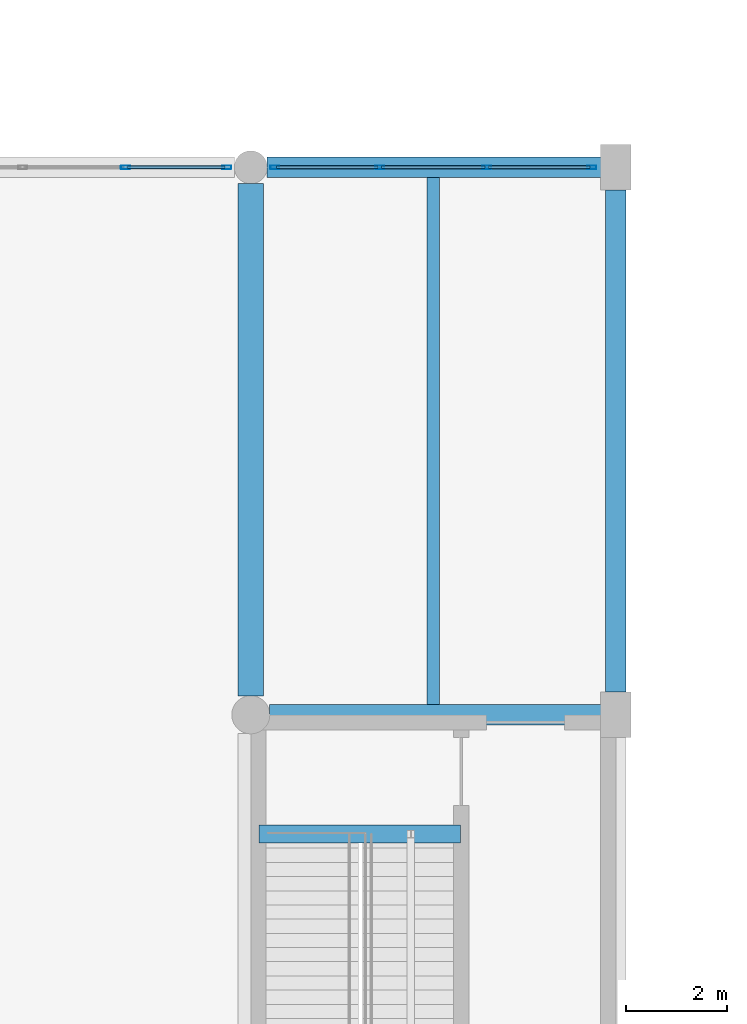
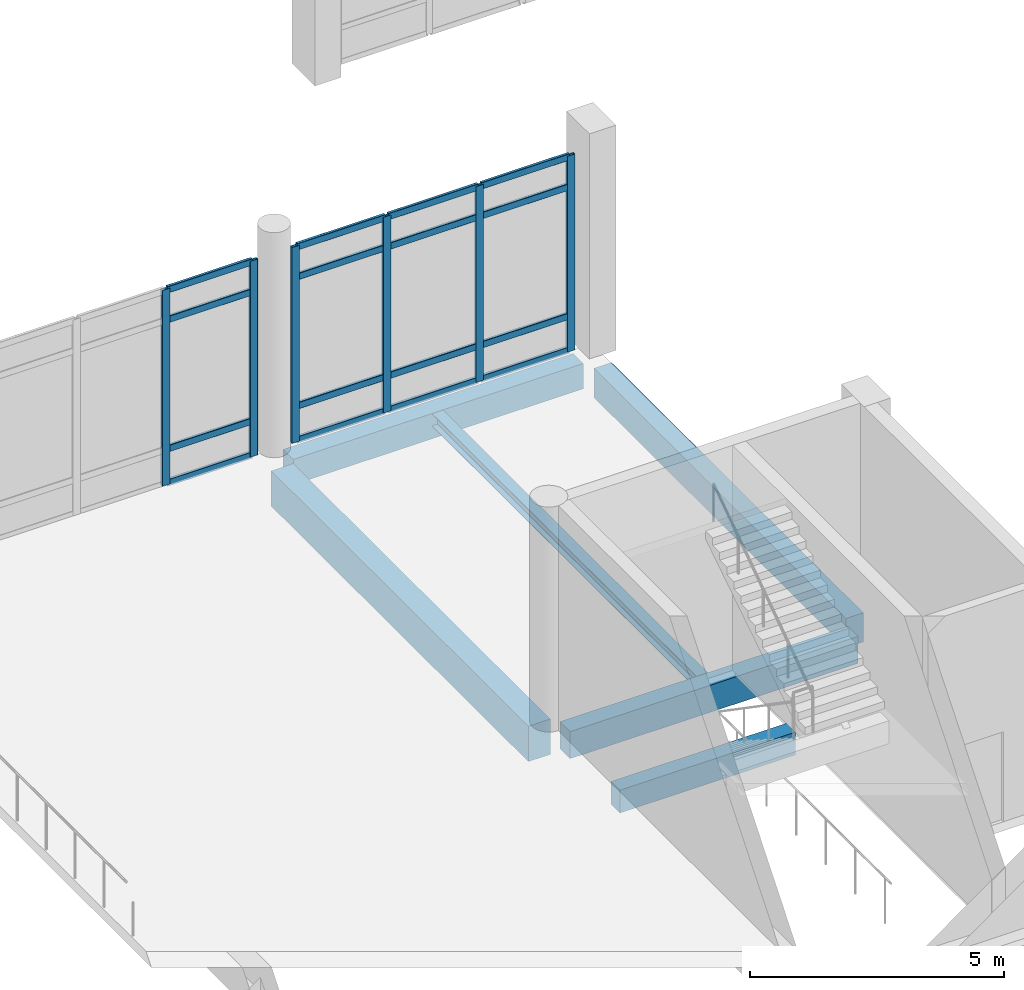
# One storey, part 46 of 180: 22 members, 6 beams, 2 elements without a shape of their own.
"""IFC4 building model written with IfcOpenShell, lengths in metres."""

from ifc_helpers import new_model, si_unit, direction, frame, origin, origin_2d, place, context, subcontext, project, spatial, rectangle, hollow_rectangle, i_section, extrude, material, material_profile, profile_set, type_object, element, aggregate, save


model = new_model("IFC4")

# Units and contexts
model_context = context("Model", 3, precision=1e-05, world=origin(), true_north=direction((0.0, 1.0)))
body_context = subcontext(model_context, "Body", "Model", "MODEL_VIEW")
ifc_project = project(units=[si_unit("LENGTHUNIT", "METRE"), si_unit("AREAUNIT", "SQUARE_METRE"), si_unit("VOLUMEUNIT", "CUBIC_METRE"), si_unit("PLANEANGLEUNIT", "RADIAN"), si_unit("MASSUNIT", "GRAM", prefix="KILO")], contexts=[model_context])

# Site, building, storey
site_placement = place(None, origin())
site = spatial("IfcSite", under=ifc_project, at=site_placement, CompositionType="ELEMENT")
building_placement = place(site_placement, origin())
building = spatial("IfcBuilding", under=site, at=building_placement, Name="Lusvemor Sports Hall", CompositionType="ELEMENT")
storey_placement = place(building_placement, frame((0.0, 0.0, 5.39990234375)))
storey = spatial("IfcBuildingStorey", under=building, at=storey_placement, Name="L01", CompositionType="ELEMENT", Elevation=5.39990234375)

# Beams
ifc_material_1 = material(Name="Concrete C40/50", Category="concrete")
ifc_material_profile_1 = material_profile(ifc_material_1, rectangle(XDim=0.35009765625, YDim=0.550048828125, at=origin_2d()), Name="RC350x550")
ifc_profile_set_1 = profile_set([ifc_material_profile_1], Name="Concrete C40/50")
beam_type_1 = type_object("IfcBeamType", Name="BEAM_RC_550", PredefinedType="BEAM", material=ifc_profile_set_1)
beam_1_placement = place(storey_placement, frame((111.760009765625, 15.64990234375, -0.454833984375), z_axis=(1.0, 0.0, 0.0), x_axis=(0.0, 1.0, 0.0)))
element("IfcBeam", 1, at=beam_1_placement, inside=storey, type_object=beam_type_1, Name="Stair STR-C7-L00 Top-Landing Beam", PredefinedType="BEAM", context=body_context, shape_type="SweptSolid", body=[
    extrude(rectangle(XDim=0.35009765625, YDim=0.550048828125, at=origin_2d()), origin(), (0.0, 0.0, 1.0), 3.97998046875),
])
ifc_material_2 = material(Name="Concrete C40/50", Category="concrete")
ifc_material_profile_2 = material_profile(ifc_material_2, rectangle(XDim=0.39990234375, YDim=0.64990234375, at=origin_2d()), Name="RC400x650")
ifc_profile_set_2 = profile_set([ifc_material_profile_2], Name="Concrete C40/50")
beam_type_2 = type_object("IfcBeamType", Name="BEAM_RC_650", PredefinedType="BEAM", material=ifc_profile_set_2)
beam_2_placement = place(storey_placement, frame((111.970947265625, 18.0, -0.5849609375), z_axis=(1.0, 0.0, 0.0), x_axis=(0.0, 1.0, 0.0)))
element("IfcBeam", 2, at=beam_2_placement, inside=storey, type_object=beam_type_2, Name="Beam L01 C:12-13", PredefinedType="BEAM", context=body_context, shape_type="SweptSolid", body=[
    extrude(rectangle(XDim=0.39990234375, YDim=0.64990234375, at=origin_2d()), origin(), (0.0, 0.0, 1.0), 6.532958984375),
])

# Curtain wall, members
ifc_material_3 = material(Name="Thermally broken bronze-anodized aluminium", Category="aluminium")
curtain_wall_type = type_object("IfcCurtainWallType", Name="CW_FOYER_A", PredefinedType="NOTDEFINED", material=ifc_material_3)
curtain_wall_1_placement = place(storey_placement, origin())
curtain_wall_1 = element("IfcCurtainWall", 3, at=curtain_wall_1_placement, inside=storey, type_object=curtain_wall_type, Name="Curtain Wall CW-V4N-L01-3", PredefinedType="NOTDEFINED")
ifc_material_4 = material(Name="Thermally broken bronze-anodized aluminium", Category="aluminium")
ifc_material_profile_3 = material_profile(ifc_material_4, hollow_rectangle(XDim=0.070068359375, YDim=0.179931640625, WallThickness=0.0048828125, InnerFilletRadius=0.0048828125, OuterFilletRadius=0.010009765625, at=origin_2d()), Name="CWMUL180x70x5")
ifc_profile_set_3 = profile_set([ifc_material_profile_3], Name="Thermally broken bronze-anodized aluminium")
member_type_1 = type_object("IfcMemberType", Name="CW_MUL_A", PredefinedType="MULLION", material=ifc_profile_set_3)
member_1_placement = place(storey_placement, frame((109.1298828125, 28.800048828125, 0.0), z_axis=(0.0, 0.0, 1.0), x_axis=(0.0, 1.0, 0.0)))
member_1 = element("IfcMember", 4, at=member_1_placement, type_object=member_type_1, Name="CW01 mullion 4", PredefinedType="MULLION", context=body_context, shape_type="SweptSolid", body=[
    extrude(hollow_rectangle(XDim=0.070068359375, YDim=0.179931640625, WallThickness=0.0048828125, InnerFilletRadius=0.0048828125, OuterFilletRadius=0.010009765625, at=origin_2d()), origin(), (0.0, 0.0, 1.0), 4.7001953125),
])
member_2_placement = place(storey_placement, frame((111.125, 28.800048828125, 0.0), z_axis=(0.0, 0.0, 1.0), x_axis=(0.0, 1.0, 0.0)))
member_2 = element("IfcMember", 5, at=member_2_placement, type_object=member_type_1, Name="CW01 mullion 5", PredefinedType="MULLION", context=body_context, shape_type="SweptSolid", body=[
    extrude(hollow_rectangle(XDim=0.070068359375, YDim=0.179931640625, WallThickness=0.0048828125, InnerFilletRadius=0.0048828125, OuterFilletRadius=0.010009765625, at=origin_2d()), origin(), (0.0, 0.0, 1.0), 4.7001953125),
])

curtain_wall_2_placement = place(storey_placement, origin())
curtain_wall_2 = element("IfcCurtainWall", 6, at=curtain_wall_2_placement, inside=storey, type_object=curtain_wall_type, Name="Curtain Wall CW-V4N-L01-4", PredefinedType="NOTDEFINED")
member_3_placement = place(storey_placement, frame((112.074951171875, 28.800048828125, 0.0), z_axis=(0.0, 0.0, 1.0), x_axis=(0.0, 1.0, 0.0)))
member_3 = element("IfcMember", 7, at=member_3_placement, type_object=member_type_1, Name="CW01 mullion 1", PredefinedType="MULLION", context=body_context, shape_type="SweptSolid", body=[
    extrude(hollow_rectangle(XDim=0.070068359375, YDim=0.179931640625, WallThickness=0.0048828125, InnerFilletRadius=0.0048828125, OuterFilletRadius=0.010009765625, at=origin_2d()), origin(), (0.0, 0.0, 1.0), 4.7001953125),
])
member_4_placement = place(storey_placement, frame((114.146728515625, 28.800048828125, 0.0), z_axis=(0.0, 0.0, 1.0), x_axis=(0.0, 1.0, 0.0)))
member_4 = element("IfcMember", 8, at=member_4_placement, type_object=member_type_1, Name="CW01 mullion 2", PredefinedType="MULLION", context=body_context, shape_type="SweptSolid", body=[
    extrude(hollow_rectangle(XDim=0.070068359375, YDim=0.179931640625, WallThickness=0.0048828125, InnerFilletRadius=0.0048828125, OuterFilletRadius=0.010009765625, at=origin_2d()), origin(), (0.0, 0.0, 1.0), 4.7001953125),
])
member_5_placement = place(storey_placement, frame((116.25341796875, 28.800048828125, 0.0), z_axis=(0.0, 0.0, 1.0), x_axis=(0.0, 1.0, 0.0)))
member_5 = element("IfcMember", 9, at=member_5_placement, type_object=member_type_1, Name="CW01 mullion 3", PredefinedType="MULLION", context=body_context, shape_type="SweptSolid", body=[
    extrude(hollow_rectangle(XDim=0.070068359375, YDim=0.179931640625, WallThickness=0.0048828125, InnerFilletRadius=0.0048828125, OuterFilletRadius=0.010009765625, at=origin_2d()), origin(), (0.0, 0.0, 1.0), 4.7001953125),
])
member_6_placement = place(storey_placement, frame((118.324951171875, 28.800048828125, 0.0), z_axis=(0.0, 0.0, 1.0), x_axis=(0.0, 1.0, 0.0)))
member_6 = element("IfcMember", 10, at=member_6_placement, type_object=member_type_1, Name="CW01 mullion 4", PredefinedType="MULLION", context=body_context, shape_type="SweptSolid", body=[
    extrude(hollow_rectangle(XDim=0.070068359375, YDim=0.179931640625, WallThickness=0.0048828125, InnerFilletRadius=0.0048828125, OuterFilletRadius=0.010009765625, at=origin_2d()), origin(), (0.0, 0.0, 1.0), 4.7001953125),
])

# Member
ifc_material_5 = material(Name="Thermally broken bronze-anodized aluminium", Category="aluminium")
ifc_material_profile_4 = material_profile(ifc_material_5, hollow_rectangle(XDim=0.06494140625, YDim=0.159912109375, WallThickness=0.00390625, InnerFilletRadius=0.00390625, OuterFilletRadius=0.008056640625, at=origin_2d()), Name="CWTRN160x65x4")
ifc_profile_set_4 = profile_set([ifc_material_profile_4], Name="Thermally broken bronze-anodized aluminium")
member_type_2 = type_object("IfcMemberType", Name="CW_TRN_A", PredefinedType="USERDEFINED", material=ifc_profile_set_4)
member_7_placement = place(storey_placement, frame((109.1650390625, 28.800048828125, 0.03271484375), z_axis=(1.0, 0.0, 0.0), x_axis=(0.0, 1.0, 0.0)))
member_7 = element("IfcMember", 11, at=member_7_placement, type_object=member_type_2, Name="CW01 transom 4.1", ObjectType="TRANSOM", PredefinedType="USERDEFINED", context=body_context, shape_type="SweptSolid", body=[
    extrude(hollow_rectangle(XDim=0.06494140625, YDim=0.159912109375, WallThickness=0.00390625, InnerFilletRadius=0.00390625, OuterFilletRadius=0.008056640625, at=origin_2d()), origin(), (0.0, 0.0, 1.0), 1.925048828125),
])

member_8_placement = place(storey_placement, frame((109.1650390625, 28.800048828125, 0.85009765625), z_axis=(1.0, 0.0, 0.0), x_axis=(0.0, 1.0, 0.0)))
member_8 = element("IfcMember", 12, at=member_8_placement, type_object=member_type_2, Name="CW01 transom 4.2", ObjectType="TRANSOM", PredefinedType="USERDEFINED", context=body_context, shape_type="SweptSolid", body=[
    extrude(hollow_rectangle(XDim=0.06494140625, YDim=0.159912109375, WallThickness=0.00390625, InnerFilletRadius=0.00390625, OuterFilletRadius=0.008056640625, at=origin_2d()), origin(), (0.0, 0.0, 1.0), 1.925048828125),
])

member_9_placement = place(storey_placement, frame((109.1650390625, 28.800048828125, 3.9501953125), z_axis=(1.0, 0.0, 0.0), x_axis=(0.0, 1.0, 0.0)))
member_9 = element("IfcMember", 13, at=member_9_placement, type_object=member_type_2, Name="CW01 transom 4.3", ObjectType="TRANSOM", PredefinedType="USERDEFINED", context=body_context, shape_type="SweptSolid", body=[
    extrude(hollow_rectangle(XDim=0.06494140625, YDim=0.159912109375, WallThickness=0.00390625, InnerFilletRadius=0.00390625, OuterFilletRadius=0.008056640625, at=origin_2d()), origin(), (0.0, 0.0, 1.0), 1.925048828125),
])

member_10_placement = place(storey_placement, frame((109.1650390625, 28.800048828125, 4.66748046875), z_axis=(1.0, 0.0, 0.0), x_axis=(0.0, 1.0, 0.0)))
member_10 = element("IfcMember", 14, at=member_10_placement, type_object=member_type_2, Name="CW01 transom 4.4", ObjectType="TRANSOM", PredefinedType="USERDEFINED", context=body_context, shape_type="SweptSolid", body=[
    extrude(hollow_rectangle(XDim=0.06494140625, YDim=0.159912109375, WallThickness=0.00390625, InnerFilletRadius=0.00390625, OuterFilletRadius=0.008056640625, at=origin_2d()), origin(), (0.0, 0.0, 1.0), 1.925048828125),
])

aggregate(curtain_wall_1, [member_1, member_2, member_7, member_8, member_9, member_10])

member_11_placement = place(storey_placement, frame((112.110107421875, 28.800048828125, 0.03271484375), z_axis=(1.0, 0.0, 0.0), x_axis=(0.0, 1.0, 0.0)))
member_11 = element("IfcMember", 15, at=member_11_placement, type_object=member_type_2, Name="CW01 transom 1.1", ObjectType="TRANSOM", PredefinedType="USERDEFINED", context=body_context, shape_type="SweptSolid", body=[
    extrude(hollow_rectangle(XDim=0.06494140625, YDim=0.159912109375, WallThickness=0.00390625, InnerFilletRadius=0.00390625, OuterFilletRadius=0.008056640625, at=origin_2d()), origin(), (0.0, 0.0, 1.0), 2.00146484375),
])

member_12_placement = place(storey_placement, frame((112.110107421875, 28.800048828125, 0.85009765625), z_axis=(1.0, 0.0, 0.0), x_axis=(0.0, 1.0, 0.0)))
member_12 = element("IfcMember", 16, at=member_12_placement, type_object=member_type_2, Name="CW01 transom 1.2", ObjectType="TRANSOM", PredefinedType="USERDEFINED", context=body_context, shape_type="SweptSolid", body=[
    extrude(hollow_rectangle(XDim=0.06494140625, YDim=0.159912109375, WallThickness=0.00390625, InnerFilletRadius=0.00390625, OuterFilletRadius=0.008056640625, at=origin_2d()), origin(), (0.0, 0.0, 1.0), 2.00146484375),
])

member_13_placement = place(storey_placement, frame((112.110107421875, 28.800048828125, 3.9501953125), z_axis=(1.0, 0.0, 0.0), x_axis=(0.0, 1.0, 0.0)))
member_13 = element("IfcMember", 17, at=member_13_placement, type_object=member_type_2, Name="CW01 transom 1.3", ObjectType="TRANSOM", PredefinedType="USERDEFINED", context=body_context, shape_type="SweptSolid", body=[
    extrude(hollow_rectangle(XDim=0.06494140625, YDim=0.159912109375, WallThickness=0.00390625, InnerFilletRadius=0.00390625, OuterFilletRadius=0.008056640625, at=origin_2d()), origin(), (0.0, 0.0, 1.0), 2.00146484375),
])

member_14_placement = place(storey_placement, frame((112.110107421875, 28.800048828125, 4.66748046875), z_axis=(1.0, 0.0, 0.0), x_axis=(0.0, 1.0, 0.0)))
member_14 = element("IfcMember", 18, at=member_14_placement, type_object=member_type_2, Name="CW01 transom 1.4", ObjectType="TRANSOM", PredefinedType="USERDEFINED", context=body_context, shape_type="SweptSolid", body=[
    extrude(hollow_rectangle(XDim=0.06494140625, YDim=0.159912109375, WallThickness=0.00390625, InnerFilletRadius=0.00390625, OuterFilletRadius=0.008056640625, at=origin_2d()), origin(), (0.0, 0.0, 1.0), 2.00146484375),
])

member_15_placement = place(storey_placement, frame((114.181640625, 28.800048828125, 0.03271484375), z_axis=(1.0, 0.0, 0.0), x_axis=(0.0, 1.0, 0.0)))
member_15 = element("IfcMember", 19, at=member_15_placement, type_object=member_type_2, Name="CW01 transom 2.1", ObjectType="TRANSOM", PredefinedType="USERDEFINED", context=body_context, shape_type="SweptSolid", body=[
    extrude(hollow_rectangle(XDim=0.06494140625, YDim=0.159912109375, WallThickness=0.00390625, InnerFilletRadius=0.00390625, OuterFilletRadius=0.008056640625, at=origin_2d()), origin(), (0.0, 0.0, 1.0), 2.03662109375),
])

member_16_placement = place(storey_placement, frame((114.181640625, 28.800048828125, 0.85009765625), z_axis=(1.0, 0.0, 0.0), x_axis=(0.0, 1.0, 0.0)))
member_16 = element("IfcMember", 20, at=member_16_placement, type_object=member_type_2, Name="CW01 transom 2.2", ObjectType="TRANSOM", PredefinedType="USERDEFINED", context=body_context, shape_type="SweptSolid", body=[
    extrude(hollow_rectangle(XDim=0.06494140625, YDim=0.159912109375, WallThickness=0.00390625, InnerFilletRadius=0.00390625, OuterFilletRadius=0.008056640625, at=origin_2d()), origin(), (0.0, 0.0, 1.0), 2.03662109375),
])

member_17_placement = place(storey_placement, frame((114.181640625, 28.800048828125, 3.9501953125), z_axis=(1.0, 0.0, 0.0), x_axis=(0.0, 1.0, 0.0)))
member_17 = element("IfcMember", 21, at=member_17_placement, type_object=member_type_2, Name="CW01 transom 2.3", ObjectType="TRANSOM", PredefinedType="USERDEFINED", context=body_context, shape_type="SweptSolid", body=[
    extrude(hollow_rectangle(XDim=0.06494140625, YDim=0.159912109375, WallThickness=0.00390625, InnerFilletRadius=0.00390625, OuterFilletRadius=0.008056640625, at=origin_2d()), origin(), (0.0, 0.0, 1.0), 2.03662109375),
])

member_18_placement = place(storey_placement, frame((114.181640625, 28.800048828125, 4.66748046875), z_axis=(1.0, 0.0, 0.0), x_axis=(0.0, 1.0, 0.0)))
member_18 = element("IfcMember", 22, at=member_18_placement, type_object=member_type_2, Name="CW01 transom 2.4", ObjectType="TRANSOM", PredefinedType="USERDEFINED", context=body_context, shape_type="SweptSolid", body=[
    extrude(hollow_rectangle(XDim=0.06494140625, YDim=0.159912109375, WallThickness=0.00390625, InnerFilletRadius=0.00390625, OuterFilletRadius=0.008056640625, at=origin_2d()), origin(), (0.0, 0.0, 1.0), 2.03662109375),
])

member_19_placement = place(storey_placement, frame((116.288330078125, 28.800048828125, 0.03271484375), z_axis=(1.0, 0.0, 0.0), x_axis=(0.0, 1.0, 0.0)))
member_19 = element("IfcMember", 23, at=member_19_placement, type_object=member_type_2, Name="CW01 transom 3.1", ObjectType="TRANSOM", PredefinedType="USERDEFINED", context=body_context, shape_type="SweptSolid", body=[
    extrude(hollow_rectangle(XDim=0.06494140625, YDim=0.159912109375, WallThickness=0.00390625, InnerFilletRadius=0.00390625, OuterFilletRadius=0.008056640625, at=origin_2d()), origin(), (0.0, 0.0, 1.0), 2.001708984375),
])

member_20_placement = place(storey_placement, frame((116.288330078125, 28.800048828125, 0.85009765625), z_axis=(1.0, 0.0, 0.0), x_axis=(0.0, 1.0, 0.0)))
member_20 = element("IfcMember", 24, at=member_20_placement, type_object=member_type_2, Name="CW01 transom 3.2", ObjectType="TRANSOM", PredefinedType="USERDEFINED", context=body_context, shape_type="SweptSolid", body=[
    extrude(hollow_rectangle(XDim=0.06494140625, YDim=0.159912109375, WallThickness=0.00390625, InnerFilletRadius=0.00390625, OuterFilletRadius=0.008056640625, at=origin_2d()), origin(), (0.0, 0.0, 1.0), 2.001708984375),
])

member_21_placement = place(storey_placement, frame((116.288330078125, 28.800048828125, 3.9501953125), z_axis=(1.0, 0.0, 0.0), x_axis=(0.0, 1.0, 0.0)))
member_21 = element("IfcMember", 25, at=member_21_placement, type_object=member_type_2, Name="CW01 transom 3.3", ObjectType="TRANSOM", PredefinedType="USERDEFINED", context=body_context, shape_type="SweptSolid", body=[
    extrude(hollow_rectangle(XDim=0.06494140625, YDim=0.159912109375, WallThickness=0.00390625, InnerFilletRadius=0.00390625, OuterFilletRadius=0.008056640625, at=origin_2d()), origin(), (0.0, 0.0, 1.0), 2.001708984375),
])

member_22_placement = place(storey_placement, frame((116.288330078125, 28.800048828125, 4.66748046875), z_axis=(1.0, 0.0, 0.0), x_axis=(0.0, 1.0, 0.0)))
member_22 = element("IfcMember", 26, at=member_22_placement, type_object=member_type_2, Name="CW01 transom 3.4", ObjectType="TRANSOM", PredefinedType="USERDEFINED", context=body_context, shape_type="SweptSolid", body=[
    extrude(hollow_rectangle(XDim=0.06494140625, YDim=0.159912109375, WallThickness=0.00390625, InnerFilletRadius=0.00390625, OuterFilletRadius=0.008056640625, at=origin_2d()), origin(), (0.0, 0.0, 1.0), 2.001708984375),
])

aggregate(curtain_wall_2, [member_3, member_4, member_5, member_6, member_11, member_12, member_13, member_14, member_15, member_16, member_17, member_18, member_19, member_20, member_21, member_22])

# Beams
ifc_material_6 = material(Name="Concrete C40/50", Category="concrete")
ifc_material_profile_5 = material_profile(ifc_material_6, rectangle(XDim=0.5, YDim=0.85009765625, at=origin_2d()), Name="RC500x850")
ifc_profile_set_5 = profile_set([ifc_material_profile_5], Name="Concrete C40/50")
beam_type_3 = type_object("IfcBeamType", Name="GIRD_RC_850", PredefinedType="T_BEAM", material=ifc_profile_set_5)
beam_3_placement = place(storey_placement, frame((111.60009765625, 18.37109375, -0.684814453125), z_axis=(0.0, 1.0, 0.0), x_axis=(-1.0, 0.0, 0.0)))
element("IfcBeam", 27, at=beam_3_placement, inside=storey, type_object=beam_type_3, Name="Beam L01 12:C-D", PredefinedType="T_BEAM", context=body_context, shape_type="SweptSolid", body=[
    extrude(rectangle(XDim=0.5, YDim=0.85009765625, at=origin_2d()), origin(), (0.0, 0.0, 1.0), 10.10791015625),
])
ifc_material_7 = material(Name="Steel S355", Category="steel")
ifc_material_profile_6 = material_profile(ifc_material_7, i_section(OverallWidth=0.25390625, OverallDepth=0.305908203125, WebThickness=0.0087890625, FlangeThickness=0.0146484375, FilletRadius=0.014892578125, at=origin_2d()), Name="W310x79.0")
ifc_profile_set_6 = profile_set([ifc_material_profile_6], Name="Steel S355")
beam_type_4 = type_object("IfcBeamType", Name="JOIST_ST_310H", PredefinedType="JOIST", material=ifc_profile_set_6)
beam_4_placement = place(storey_placement, frame((115.199951171875, 18.196044921875, -0.4169921875), z_axis=(0.0, 1.0, 0.0), x_axis=(-1.0, 0.0, 0.0)))
element("IfcBeam", 28, at=beam_4_placement, inside=storey, type_object=beam_type_4, Name="Secondary Joist L01 12-13/C-D #1", PredefinedType="JOIST", context=body_context, shape_type="SweptSolid", body=[
    extrude(i_section(OverallWidth=0.25390625, OverallDepth=0.305908203125, WebThickness=0.0087890625, FlangeThickness=0.0146484375, FilletRadius=0.014892578125, at=origin_2d()), origin(), (0.0, 0.0, 1.0), 10.407958984375),
])
ifc_material_8 = material(Name="Concrete C40/50", Category="concrete")
ifc_material_profile_7 = material_profile(ifc_material_8, rectangle(XDim=0.39990234375, YDim=0.610107421875, at=origin_2d()), Name="RC400x610")
ifc_profile_set_7 = profile_set([ifc_material_profile_7], Name="Concrete C40/50")
beam_type_5 = type_object("IfcBeamType", Name="SPAND_EXT_650", PredefinedType="SPANDREL", material=ifc_profile_set_7)
beam_5_placement = place(storey_placement, frame((111.9208984375, 28.800048828125, -0.56494140625), z_axis=(1.0, 0.0, 0.0), x_axis=(0.0, 1.0, 0.0)))
element("IfcBeam", 29, at=beam_5_placement, inside=storey, type_object=beam_type_5, Name="Beam L01 D:12-13", PredefinedType="SPANDREL", context=body_context, shape_type="SweptSolid", body=[
    extrude(rectangle(XDim=0.39990234375, YDim=0.610107421875, at=origin_2d()), origin(), (0.0, 0.0, 1.0), 6.5830078125),
])
ifc_material_9 = material(Name="Concrete C40/50", Category="concrete")
ifc_material_profile_8 = material_profile(ifc_material_9, rectangle(XDim=0.39990234375, YDim=0.699951171875, at=origin_2d()), Name="RC400x700")
ifc_profile_set_8 = profile_set([ifc_material_profile_8], Name="Concrete C40/50")
beam_type_6 = type_object("IfcBeamType", Name="SPAND_EXT_700", PredefinedType="SPANDREL", material=ifc_profile_set_8)
beam_6_placement = place(storey_placement, frame((118.800048828125, 18.446044921875, -0.60986328125), z_axis=(0.0, 1.0, 0.0), x_axis=(-1.0, 0.0, 0.0)))
element("IfcBeam", 30, at=beam_6_placement, inside=storey, type_object=beam_type_6, Name="Beam L01 13:C-D", PredefinedType="SPANDREL", context=body_context, shape_type="SweptSolid", body=[
    extrude(rectangle(XDim=0.39990234375, YDim=0.699951171875, at=origin_2d()), origin(), (0.0, 0.0, 1.0), 9.907958984375),
])

save(model, "model.ifc")
